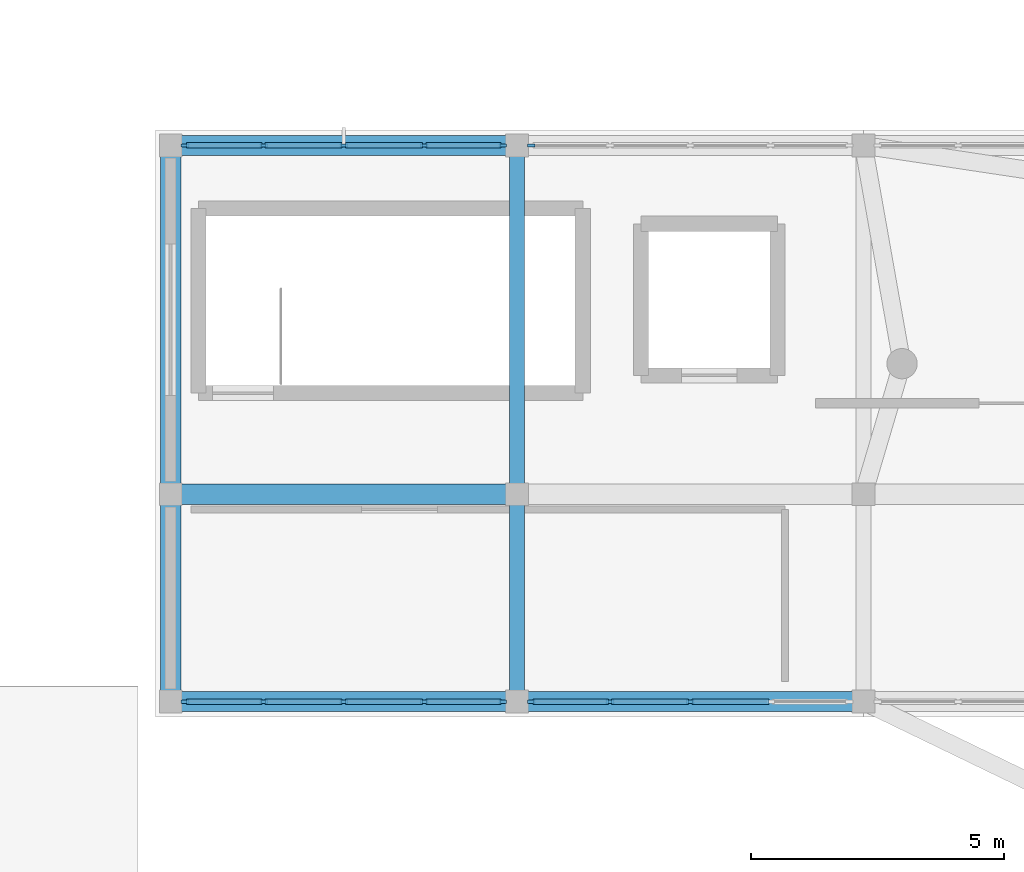
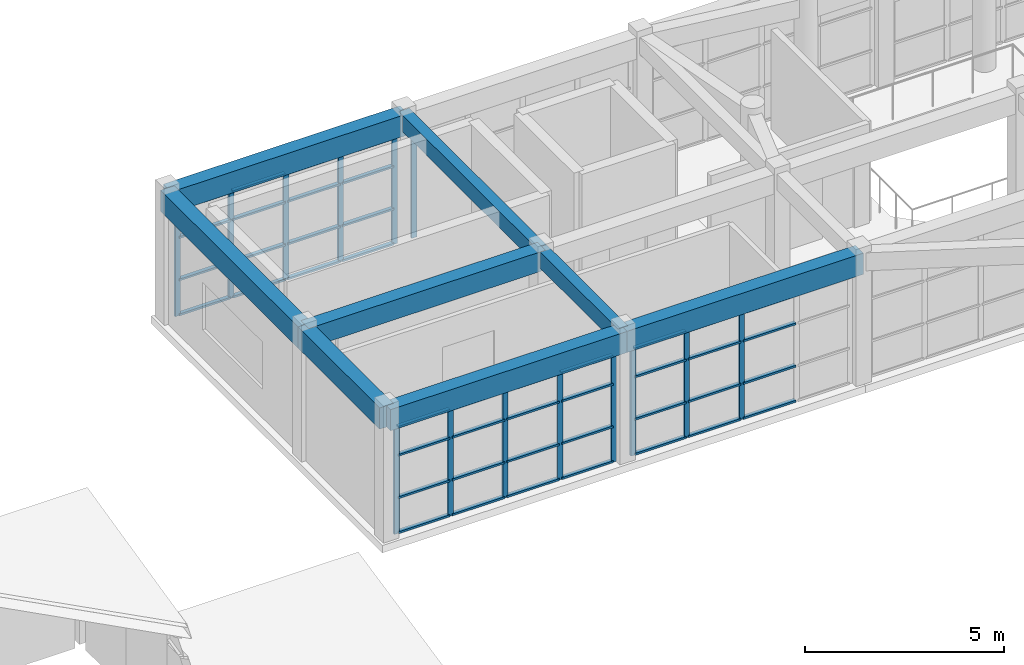
# One storey, part 4 of 66: 58 members, 8 beams, 4 elements without a shape of their own.
"""IFC4 building model written with IfcOpenShell, lengths in metres."""

from ifc_helpers import new_model, si_unit, direction, frame, origin, origin_2d, place, context, subcontext, project, spatial, rectangle, extrude, material, layer, layer_set, material_profile, profile_set, type_object, element, aggregate, save


model = new_model("IFC4")

# Units and contexts
model_context = context("Model", 3, precision=1e-05, world=origin(), true_north=direction((0.0, 1.0)))
body_context = subcontext(model_context, "Body", "Model", "MODEL_VIEW")
ifc_project = project(units=[si_unit("LENGTHUNIT", "METRE"), si_unit("AREAUNIT", "SQUARE_METRE"), si_unit("VOLUMEUNIT", "CUBIC_METRE"), si_unit("PLANEANGLEUNIT", "RADIAN"), si_unit("MASSUNIT", "GRAM", prefix="KILO")], contexts=[model_context])

# Site, building, storey
site_placement = place(None, origin())
site = spatial("IfcSite", under=ifc_project, at=site_placement, CompositionType="ELEMENT")
building_placement = place(site_placement, origin())
building = spatial("IfcBuilding", under=site, at=building_placement, Name="Candilejo Ridge Gondola Terminal", CompositionType="ELEMENT")
storey_placement = place(building_placement, frame((0.0, 0.0, 14.39990234375)))
storey = spatial("IfcBuildingStorey", under=building, at=storey_placement, Name="L03", CompositionType="ELEMENT", Elevation=14.39990234375)

# Curtain wall, members
ifc_material_1 = material(Name="Anodised aluminium AA 6063-T6", Category="aluminium")
ifc_layer = layer(ifc_material_1, 0.169921875)
ifc_layer_set = layer_set([ifc_layer], Name="ARC-CW-DRUM-3400-635X329")
curtain_wall_type = type_object("IfcCurtainWallType", Name="ARC-CW-DRUM-3400-635X329", PredefinedType="NOTDEFINED", material=ifc_layer_set)
curtain_wall_1_placement = place(storey_placement, origin())
curtain_wall_1 = element("IfcCurtainWall", 1, at=curtain_wall_1_placement, inside=storey, type_object=curtain_wall_type, Name="Curtain wall V2 L03-058", PredefinedType="NOTDEFINED")
ifc_material_2 = material(Name="Anodised aluminium AA 6063-T6", Category="aluminium")
ifc_material_profile_1 = material_profile(ifc_material_2, rectangle(XDim=0.06494140625, YDim=0.14990234375, at=origin_2d()))
ifc_profile_set_1 = profile_set([ifc_material_profile_1], Name="Anodised aluminium AA 6063-T6")
member_type_1 = type_object("IfcMemberType", Name="ARC-CW-MULLION-150", PredefinedType="MULLION", material=ifc_profile_set_1)
member_1_placement = place(storey_placement, frame((44.9326171875, 36.699951171875, 0.0), z_axis=(0.0, 0.0, 1.0), x_axis=(0.0, 1.0, 0.0)))
member_1 = element("IfcMember", 2, at=member_1_placement, type_object=member_type_1, Name="CW-63X32 mullion 1", PredefinedType="MULLION", context=body_context, shape_type="SweptSolid", body=[
    extrude(rectangle(XDim=0.06494140625, YDim=0.14990234375, at=origin_2d()), origin(), (0.0, 0.0, 1.0), 3.2900390625),
])
member_2_placement = place(storey_placement, frame((46.487548828125, 36.699951171875, 0.0), z_axis=(0.0, 0.0, 1.0), x_axis=(0.0, 1.0, 0.0)))
member_2 = element("IfcMember", 3, at=member_2_placement, type_object=member_type_1, Name="CW-63X32 mullion 2", PredefinedType="MULLION", context=body_context, shape_type="SweptSolid", body=[
    extrude(rectangle(XDim=0.06494140625, YDim=0.14990234375, at=origin_2d()), origin(), (0.0, 0.0, 1.0), 3.2900390625),
])
member_3_placement = place(storey_placement, frame((48.074951171875, 36.699951171875, 0.0), z_axis=(0.0, 0.0, 1.0), x_axis=(0.0, 1.0, 0.0)))
member_3 = element("IfcMember", 4, at=member_3_placement, type_object=member_type_1, Name="CW-63X32 mullion 3", PredefinedType="MULLION", context=body_context, shape_type="SweptSolid", body=[
    extrude(rectangle(XDim=0.06494140625, YDim=0.14990234375, at=origin_2d()), origin(), (0.0, 0.0, 1.0), 3.2900390625),
])
member_4_placement = place(storey_placement, frame((49.66259765625, 36.699951171875, 0.0), z_axis=(0.0, 0.0, 1.0), x_axis=(0.0, 1.0, 0.0)))
member_4 = element("IfcMember", 5, at=member_4_placement, type_object=member_type_1, Name="CW-63X32 mullion 4", PredefinedType="MULLION", context=body_context, shape_type="SweptSolid", body=[
    extrude(rectangle(XDim=0.06494140625, YDim=0.14990234375, at=origin_2d()), origin(), (0.0, 0.0, 1.0), 3.2900390625),
])
member_5_placement = place(storey_placement, frame((51.217529296875, 36.699951171875, 0.0), z_axis=(0.0, 0.0, 1.0), x_axis=(0.0, 1.0, 0.0)))
member_5 = element("IfcMember", 6, at=member_5_placement, type_object=member_type_1, Name="CW-63X32 mullion 5", PredefinedType="MULLION", context=body_context, shape_type="SweptSolid", body=[
    extrude(rectangle(XDim=0.06494140625, YDim=0.14990234375, at=origin_2d()), origin(), (0.0, 0.0, 1.0), 3.2900390625),
])

curtain_wall_2_placement = place(storey_placement, origin())
curtain_wall_2 = element("IfcCurtainWall", 7, at=curtain_wall_2_placement, inside=storey, type_object=curtain_wall_type, Name="Curtain wall V2 L03-059", PredefinedType="NOTDEFINED")
member_6_placement = place(storey_placement, frame((44.9326171875, 25.699951171875, 0.0), z_axis=(0.0, 0.0, 1.0), x_axis=(0.0, 1.0, 0.0)))
member_6 = element("IfcMember", 8, at=member_6_placement, type_object=member_type_1, Name="CW-63X32 mullion 1", PredefinedType="MULLION", context=body_context, shape_type="SweptSolid", body=[
    extrude(rectangle(XDim=0.06494140625, YDim=0.14990234375, at=origin_2d()), origin(), (0.0, 0.0, 1.0), 3.2900390625),
])
member_7_placement = place(storey_placement, frame((46.487548828125, 25.699951171875, 0.0), z_axis=(0.0, 0.0, 1.0), x_axis=(0.0, 1.0, 0.0)))
member_7 = element("IfcMember", 9, at=member_7_placement, type_object=member_type_1, Name="CW-63X32 mullion 2", PredefinedType="MULLION", context=body_context, shape_type="SweptSolid", body=[
    extrude(rectangle(XDim=0.06494140625, YDim=0.14990234375, at=origin_2d()), origin(), (0.0, 0.0, 1.0), 3.2900390625),
])
member_8_placement = place(storey_placement, frame((48.074951171875, 25.699951171875, 0.0), z_axis=(0.0, 0.0, 1.0), x_axis=(0.0, 1.0, 0.0)))
member_8 = element("IfcMember", 10, at=member_8_placement, type_object=member_type_1, Name="CW-63X32 mullion 3", PredefinedType="MULLION", context=body_context, shape_type="SweptSolid", body=[
    extrude(rectangle(XDim=0.06494140625, YDim=0.14990234375, at=origin_2d()), origin(), (0.0, 0.0, 1.0), 3.2900390625),
])
member_9_placement = place(storey_placement, frame((49.66259765625, 25.699951171875, 0.0), z_axis=(0.0, 0.0, 1.0), x_axis=(0.0, 1.0, 0.0)))
member_9 = element("IfcMember", 11, at=member_9_placement, type_object=member_type_1, Name="CW-63X32 mullion 4", PredefinedType="MULLION", context=body_context, shape_type="SweptSolid", body=[
    extrude(rectangle(XDim=0.06494140625, YDim=0.14990234375, at=origin_2d()), origin(), (0.0, 0.0, 1.0), 3.2900390625),
])
member_10_placement = place(storey_placement, frame((51.217529296875, 25.699951171875, 0.0), z_axis=(0.0, 0.0, 1.0), x_axis=(0.0, 1.0, 0.0)))
member_10 = element("IfcMember", 12, at=member_10_placement, type_object=member_type_1, Name="CW-63X32 mullion 5", PredefinedType="MULLION", context=body_context, shape_type="SweptSolid", body=[
    extrude(rectangle(XDim=0.06494140625, YDim=0.14990234375, at=origin_2d()), origin(), (0.0, 0.0, 1.0), 3.2900390625),
])

# Curtain wall, member
curtain_wall_3_placement = place(storey_placement, origin())
curtain_wall_3 = element("IfcCurtainWall", 13, at=curtain_wall_3_placement, inside=storey, type_object=curtain_wall_type, Name="Curtain wall V2 L03-060", PredefinedType="NOTDEFINED")
member_11_placement = place(storey_placement, frame((51.782470703125, 36.699951171875, 0.0), z_axis=(0.0, 0.0, 1.0), x_axis=(0.0, 1.0, 0.0)))
member_11 = element("IfcMember", 14, at=member_11_placement, type_object=member_type_1, Name="CW-63X32 mullion 1", PredefinedType="MULLION", context=body_context, shape_type="SweptSolid", body=[
    extrude(rectangle(XDim=0.06494140625, YDim=0.14990234375, at=origin_2d()), origin(), (0.0, 0.0, 1.0), 3.2900390625),
])
aggregate(curtain_wall_3, [member_11])

# Curtain wall, members
curtain_wall_4_placement = place(storey_placement, origin())
curtain_wall_4 = element("IfcCurtainWall", 15, at=curtain_wall_4_placement, inside=storey, type_object=curtain_wall_type, Name="Curtain wall V2 L03-061", PredefinedType="NOTDEFINED")
member_12_placement = place(storey_placement, frame((51.782470703125, 25.699951171875, 0.0), z_axis=(0.0, 0.0, 1.0), x_axis=(0.0, 1.0, 0.0)))
member_12 = element("IfcMember", 16, at=member_12_placement, type_object=member_type_1, Name="CW-63X32 mullion 1", PredefinedType="MULLION", context=body_context, shape_type="SweptSolid", body=[
    extrude(rectangle(XDim=0.06494140625, YDim=0.14990234375, at=origin_2d()), origin(), (0.0, 0.0, 1.0), 3.2900390625),
])
member_13_placement = place(storey_placement, frame((53.33740234375, 25.699951171875, 0.0), z_axis=(0.0, 0.0, 1.0), x_axis=(0.0, 1.0, 0.0)))
member_13 = element("IfcMember", 17, at=member_13_placement, type_object=member_type_1, Name="CW-63X32 mullion 2", PredefinedType="MULLION", context=body_context, shape_type="SweptSolid", body=[
    extrude(rectangle(XDim=0.06494140625, YDim=0.14990234375, at=origin_2d()), origin(), (0.0, 0.0, 1.0), 3.2900390625),
])
member_14_placement = place(storey_placement, frame((54.925048828125, 25.699951171875, 0.0), z_axis=(0.0, 0.0, 1.0), x_axis=(0.0, 1.0, 0.0)))
member_14 = element("IfcMember", 18, at=member_14_placement, type_object=member_type_1, Name="CW-63X32 mullion 3", PredefinedType="MULLION", context=body_context, shape_type="SweptSolid", body=[
    extrude(rectangle(XDim=0.06494140625, YDim=0.14990234375, at=origin_2d()), origin(), (0.0, 0.0, 1.0), 3.2900390625),
])

# Member
ifc_material_3 = material(Name="Anodised aluminium AA 6063-T6", Category="aluminium")
ifc_material_profile_2 = material_profile(ifc_material_3, rectangle(XDim=0.110107421875, YDim=0.06005859375, at=origin_2d()))
ifc_profile_set_2 = profile_set([ifc_material_profile_2], Name="Anodised aluminium AA 6063-T6")
member_type_2 = type_object("IfcMemberType", Name="ARC-CW-TRANSOM-110", PredefinedType="USERDEFINED", material=ifc_profile_set_2)
member_15_placement = place(storey_placement, frame((44.965087890625, 36.699951171875, 0.030029296875), z_axis=(1.0, 0.0, 0.0), x_axis=(0.0, 1.0, 0.0)))
member_15 = element("IfcMember", 19, at=member_15_placement, type_object=member_type_2, Name="CW-63X32 transom 1.1", ObjectType="TRANSOM", PredefinedType="USERDEFINED", context=body_context, shape_type="SweptSolid", body=[
    extrude(rectangle(XDim=0.110107421875, YDim=0.06005859375, at=origin_2d()), origin(), (0.0, 0.0, 1.0), 1.489990234375),
])

member_16_placement = place(storey_placement, frame((44.965087890625, 36.699951171875, 1.10009765625), z_axis=(1.0, 0.0, 0.0), x_axis=(0.0, 1.0, 0.0)))
member_16 = element("IfcMember", 20, at=member_16_placement, type_object=member_type_2, Name="CW-63X32 transom 1.2", ObjectType="TRANSOM", PredefinedType="USERDEFINED", context=body_context, shape_type="SweptSolid", body=[
    extrude(rectangle(XDim=0.110107421875, YDim=0.06005859375, at=origin_2d()), origin(), (0.0, 0.0, 1.0), 1.489990234375),
])

member_17_placement = place(storey_placement, frame((44.965087890625, 36.699951171875, 2.400146484375), z_axis=(1.0, 0.0, 0.0), x_axis=(0.0, 1.0, 0.0)))
member_17 = element("IfcMember", 21, at=member_17_placement, type_object=member_type_2, Name="CW-63X32 transom 1.3", ObjectType="TRANSOM", PredefinedType="USERDEFINED", context=body_context, shape_type="SweptSolid", body=[
    extrude(rectangle(XDim=0.110107421875, YDim=0.06005859375, at=origin_2d()), origin(), (0.0, 0.0, 1.0), 1.489990234375),
])

member_18_placement = place(storey_placement, frame((44.965087890625, 36.699951171875, 3.260009765625), z_axis=(1.0, 0.0, 0.0), x_axis=(0.0, 1.0, 0.0)))
member_18 = element("IfcMember", 22, at=member_18_placement, type_object=member_type_2, Name="CW-63X32 transom 1.4", ObjectType="TRANSOM", PredefinedType="USERDEFINED", context=body_context, shape_type="SweptSolid", body=[
    extrude(rectangle(XDim=0.110107421875, YDim=0.06005859375, at=origin_2d()), origin(), (0.0, 0.0, 1.0), 1.489990234375),
])

member_19_placement = place(storey_placement, frame((46.52001953125, 36.699951171875, 0.030029296875), z_axis=(1.0, 0.0, 0.0), x_axis=(0.0, 1.0, 0.0)))
member_19 = element("IfcMember", 23, at=member_19_placement, type_object=member_type_2, Name="CW-63X32 transom 2.1", ObjectType="TRANSOM", PredefinedType="USERDEFINED", context=body_context, shape_type="SweptSolid", body=[
    extrude(rectangle(XDim=0.110107421875, YDim=0.06005859375, at=origin_2d()), origin(), (0.0, 0.0, 1.0), 1.5224609375),
])

member_20_placement = place(storey_placement, frame((46.52001953125, 36.699951171875, 1.10009765625), z_axis=(1.0, 0.0, 0.0), x_axis=(0.0, 1.0, 0.0)))
member_20 = element("IfcMember", 24, at=member_20_placement, type_object=member_type_2, Name="CW-63X32 transom 2.2", ObjectType="TRANSOM", PredefinedType="USERDEFINED", context=body_context, shape_type="SweptSolid", body=[
    extrude(rectangle(XDim=0.110107421875, YDim=0.06005859375, at=origin_2d()), origin(), (0.0, 0.0, 1.0), 1.5224609375),
])

member_21_placement = place(storey_placement, frame((46.52001953125, 36.699951171875, 2.400146484375), z_axis=(1.0, 0.0, 0.0), x_axis=(0.0, 1.0, 0.0)))
member_21 = element("IfcMember", 25, at=member_21_placement, type_object=member_type_2, Name="CW-63X32 transom 2.3", ObjectType="TRANSOM", PredefinedType="USERDEFINED", context=body_context, shape_type="SweptSolid", body=[
    extrude(rectangle(XDim=0.110107421875, YDim=0.06005859375, at=origin_2d()), origin(), (0.0, 0.0, 1.0), 1.5224609375),
])

member_22_placement = place(storey_placement, frame((46.52001953125, 36.699951171875, 3.260009765625), z_axis=(1.0, 0.0, 0.0), x_axis=(0.0, 1.0, 0.0)))
member_22 = element("IfcMember", 26, at=member_22_placement, type_object=member_type_2, Name="CW-63X32 transom 2.4", ObjectType="TRANSOM", PredefinedType="USERDEFINED", context=body_context, shape_type="SweptSolid", body=[
    extrude(rectangle(XDim=0.110107421875, YDim=0.06005859375, at=origin_2d()), origin(), (0.0, 0.0, 1.0), 1.5224609375),
])

member_23_placement = place(storey_placement, frame((48.107421875, 36.699951171875, 0.030029296875), z_axis=(1.0, 0.0, 0.0), x_axis=(0.0, 1.0, 0.0)))
member_23 = element("IfcMember", 27, at=member_23_placement, type_object=member_type_2, Name="CW-63X32 transom 3.1", ObjectType="TRANSOM", PredefinedType="USERDEFINED", context=body_context, shape_type="SweptSolid", body=[
    extrude(rectangle(XDim=0.110107421875, YDim=0.06005859375, at=origin_2d()), origin(), (0.0, 0.0, 1.0), 1.5224609375),
])

member_24_placement = place(storey_placement, frame((48.107421875, 36.699951171875, 1.10009765625), z_axis=(1.0, 0.0, 0.0), x_axis=(0.0, 1.0, 0.0)))
member_24 = element("IfcMember", 28, at=member_24_placement, type_object=member_type_2, Name="CW-63X32 transom 3.2", ObjectType="TRANSOM", PredefinedType="USERDEFINED", context=body_context, shape_type="SweptSolid", body=[
    extrude(rectangle(XDim=0.110107421875, YDim=0.06005859375, at=origin_2d()), origin(), (0.0, 0.0, 1.0), 1.5224609375),
])

member_25_placement = place(storey_placement, frame((48.107421875, 36.699951171875, 2.400146484375), z_axis=(1.0, 0.0, 0.0), x_axis=(0.0, 1.0, 0.0)))
member_25 = element("IfcMember", 29, at=member_25_placement, type_object=member_type_2, Name="CW-63X32 transom 3.3", ObjectType="TRANSOM", PredefinedType="USERDEFINED", context=body_context, shape_type="SweptSolid", body=[
    extrude(rectangle(XDim=0.110107421875, YDim=0.06005859375, at=origin_2d()), origin(), (0.0, 0.0, 1.0), 1.5224609375),
])

member_26_placement = place(storey_placement, frame((48.107421875, 36.699951171875, 3.260009765625), z_axis=(1.0, 0.0, 0.0), x_axis=(0.0, 1.0, 0.0)))
member_26 = element("IfcMember", 30, at=member_26_placement, type_object=member_type_2, Name="CW-63X32 transom 3.4", ObjectType="TRANSOM", PredefinedType="USERDEFINED", context=body_context, shape_type="SweptSolid", body=[
    extrude(rectangle(XDim=0.110107421875, YDim=0.06005859375, at=origin_2d()), origin(), (0.0, 0.0, 1.0), 1.5224609375),
])

member_27_placement = place(storey_placement, frame((49.695068359375, 36.699951171875, 0.030029296875), z_axis=(1.0, 0.0, 0.0), x_axis=(0.0, 1.0, 0.0)))
member_27 = element("IfcMember", 31, at=member_27_placement, type_object=member_type_2, Name="CW-63X32 transom 4.1", ObjectType="TRANSOM", PredefinedType="USERDEFINED", context=body_context, shape_type="SweptSolid", body=[
    extrude(rectangle(XDim=0.110107421875, YDim=0.06005859375, at=origin_2d()), origin(), (0.0, 0.0, 1.0), 1.489990234375),
])

member_28_placement = place(storey_placement, frame((49.695068359375, 36.699951171875, 1.10009765625), z_axis=(1.0, 0.0, 0.0), x_axis=(0.0, 1.0, 0.0)))
member_28 = element("IfcMember", 32, at=member_28_placement, type_object=member_type_2, Name="CW-63X32 transom 4.2", ObjectType="TRANSOM", PredefinedType="USERDEFINED", context=body_context, shape_type="SweptSolid", body=[
    extrude(rectangle(XDim=0.110107421875, YDim=0.06005859375, at=origin_2d()), origin(), (0.0, 0.0, 1.0), 1.489990234375),
])

member_29_placement = place(storey_placement, frame((49.695068359375, 36.699951171875, 2.400146484375), z_axis=(1.0, 0.0, 0.0), x_axis=(0.0, 1.0, 0.0)))
member_29 = element("IfcMember", 33, at=member_29_placement, type_object=member_type_2, Name="CW-63X32 transom 4.3", ObjectType="TRANSOM", PredefinedType="USERDEFINED", context=body_context, shape_type="SweptSolid", body=[
    extrude(rectangle(XDim=0.110107421875, YDim=0.06005859375, at=origin_2d()), origin(), (0.0, 0.0, 1.0), 1.489990234375),
])

member_30_placement = place(storey_placement, frame((49.695068359375, 36.699951171875, 3.260009765625), z_axis=(1.0, 0.0, 0.0), x_axis=(0.0, 1.0, 0.0)))
member_30 = element("IfcMember", 34, at=member_30_placement, type_object=member_type_2, Name="CW-63X32 transom 4.4", ObjectType="TRANSOM", PredefinedType="USERDEFINED", context=body_context, shape_type="SweptSolid", body=[
    extrude(rectangle(XDim=0.110107421875, YDim=0.06005859375, at=origin_2d()), origin(), (0.0, 0.0, 1.0), 1.489990234375),
])

aggregate(curtain_wall_1, [member_1, member_2, member_3, member_4, member_5, member_15, member_16, member_17, member_18, member_19, member_20, member_21, member_22, member_23, member_24, member_25, member_26, member_27, member_28, member_29, member_30])

member_31_placement = place(storey_placement, frame((44.965087890625, 25.699951171875, 0.030029296875), z_axis=(1.0, 0.0, 0.0), x_axis=(0.0, 1.0, 0.0)))
member_31 = element("IfcMember", 35, at=member_31_placement, type_object=member_type_2, Name="CW-63X32 transom 1.1", ObjectType="TRANSOM", PredefinedType="USERDEFINED", context=body_context, shape_type="SweptSolid", body=[
    extrude(rectangle(XDim=0.110107421875, YDim=0.06005859375, at=origin_2d()), origin(), (0.0, 0.0, 1.0), 1.489990234375),
])

member_32_placement = place(storey_placement, frame((44.965087890625, 25.699951171875, 1.10009765625), z_axis=(1.0, 0.0, 0.0), x_axis=(0.0, 1.0, 0.0)))
member_32 = element("IfcMember", 36, at=member_32_placement, type_object=member_type_2, Name="CW-63X32 transom 1.2", ObjectType="TRANSOM", PredefinedType="USERDEFINED", context=body_context, shape_type="SweptSolid", body=[
    extrude(rectangle(XDim=0.110107421875, YDim=0.06005859375, at=origin_2d()), origin(), (0.0, 0.0, 1.0), 1.489990234375),
])

member_33_placement = place(storey_placement, frame((44.965087890625, 25.699951171875, 2.400146484375), z_axis=(1.0, 0.0, 0.0), x_axis=(0.0, 1.0, 0.0)))
member_33 = element("IfcMember", 37, at=member_33_placement, type_object=member_type_2, Name="CW-63X32 transom 1.3", ObjectType="TRANSOM", PredefinedType="USERDEFINED", context=body_context, shape_type="SweptSolid", body=[
    extrude(rectangle(XDim=0.110107421875, YDim=0.06005859375, at=origin_2d()), origin(), (0.0, 0.0, 1.0), 1.489990234375),
])

member_34_placement = place(storey_placement, frame((44.965087890625, 25.699951171875, 3.260009765625), z_axis=(1.0, 0.0, 0.0), x_axis=(0.0, 1.0, 0.0)))
member_34 = element("IfcMember", 38, at=member_34_placement, type_object=member_type_2, Name="CW-63X32 transom 1.4", ObjectType="TRANSOM", PredefinedType="USERDEFINED", context=body_context, shape_type="SweptSolid", body=[
    extrude(rectangle(XDim=0.110107421875, YDim=0.06005859375, at=origin_2d()), origin(), (0.0, 0.0, 1.0), 1.489990234375),
])

member_35_placement = place(storey_placement, frame((46.52001953125, 25.699951171875, 0.030029296875), z_axis=(1.0, 0.0, 0.0), x_axis=(0.0, 1.0, 0.0)))
member_35 = element("IfcMember", 39, at=member_35_placement, type_object=member_type_2, Name="CW-63X32 transom 2.1", ObjectType="TRANSOM", PredefinedType="USERDEFINED", context=body_context, shape_type="SweptSolid", body=[
    extrude(rectangle(XDim=0.110107421875, YDim=0.06005859375, at=origin_2d()), origin(), (0.0, 0.0, 1.0), 1.5224609375),
])

member_36_placement = place(storey_placement, frame((46.52001953125, 25.699951171875, 1.10009765625), z_axis=(1.0, 0.0, 0.0), x_axis=(0.0, 1.0, 0.0)))
member_36 = element("IfcMember", 40, at=member_36_placement, type_object=member_type_2, Name="CW-63X32 transom 2.2", ObjectType="TRANSOM", PredefinedType="USERDEFINED", context=body_context, shape_type="SweptSolid", body=[
    extrude(rectangle(XDim=0.110107421875, YDim=0.06005859375, at=origin_2d()), origin(), (0.0, 0.0, 1.0), 1.5224609375),
])

member_37_placement = place(storey_placement, frame((46.52001953125, 25.699951171875, 2.400146484375), z_axis=(1.0, 0.0, 0.0), x_axis=(0.0, 1.0, 0.0)))
member_37 = element("IfcMember", 41, at=member_37_placement, type_object=member_type_2, Name="CW-63X32 transom 2.3", ObjectType="TRANSOM", PredefinedType="USERDEFINED", context=body_context, shape_type="SweptSolid", body=[
    extrude(rectangle(XDim=0.110107421875, YDim=0.06005859375, at=origin_2d()), origin(), (0.0, 0.0, 1.0), 1.5224609375),
])

member_38_placement = place(storey_placement, frame((46.52001953125, 25.699951171875, 3.260009765625), z_axis=(1.0, 0.0, 0.0), x_axis=(0.0, 1.0, 0.0)))
member_38 = element("IfcMember", 42, at=member_38_placement, type_object=member_type_2, Name="CW-63X32 transom 2.4", ObjectType="TRANSOM", PredefinedType="USERDEFINED", context=body_context, shape_type="SweptSolid", body=[
    extrude(rectangle(XDim=0.110107421875, YDim=0.06005859375, at=origin_2d()), origin(), (0.0, 0.0, 1.0), 1.5224609375),
])

member_39_placement = place(storey_placement, frame((48.107421875, 25.699951171875, 0.030029296875), z_axis=(1.0, 0.0, 0.0), x_axis=(0.0, 1.0, 0.0)))
member_39 = element("IfcMember", 43, at=member_39_placement, type_object=member_type_2, Name="CW-63X32 transom 3.1", ObjectType="TRANSOM", PredefinedType="USERDEFINED", context=body_context, shape_type="SweptSolid", body=[
    extrude(rectangle(XDim=0.110107421875, YDim=0.06005859375, at=origin_2d()), origin(), (0.0, 0.0, 1.0), 1.5224609375),
])

member_40_placement = place(storey_placement, frame((48.107421875, 25.699951171875, 1.10009765625), z_axis=(1.0, 0.0, 0.0), x_axis=(0.0, 1.0, 0.0)))
member_40 = element("IfcMember", 44, at=member_40_placement, type_object=member_type_2, Name="CW-63X32 transom 3.2", ObjectType="TRANSOM", PredefinedType="USERDEFINED", context=body_context, shape_type="SweptSolid", body=[
    extrude(rectangle(XDim=0.110107421875, YDim=0.06005859375, at=origin_2d()), origin(), (0.0, 0.0, 1.0), 1.5224609375),
])

member_41_placement = place(storey_placement, frame((48.107421875, 25.699951171875, 2.400146484375), z_axis=(1.0, 0.0, 0.0), x_axis=(0.0, 1.0, 0.0)))
member_41 = element("IfcMember", 45, at=member_41_placement, type_object=member_type_2, Name="CW-63X32 transom 3.3", ObjectType="TRANSOM", PredefinedType="USERDEFINED", context=body_context, shape_type="SweptSolid", body=[
    extrude(rectangle(XDim=0.110107421875, YDim=0.06005859375, at=origin_2d()), origin(), (0.0, 0.0, 1.0), 1.5224609375),
])

member_42_placement = place(storey_placement, frame((48.107421875, 25.699951171875, 3.260009765625), z_axis=(1.0, 0.0, 0.0), x_axis=(0.0, 1.0, 0.0)))
member_42 = element("IfcMember", 46, at=member_42_placement, type_object=member_type_2, Name="CW-63X32 transom 3.4", ObjectType="TRANSOM", PredefinedType="USERDEFINED", context=body_context, shape_type="SweptSolid", body=[
    extrude(rectangle(XDim=0.110107421875, YDim=0.06005859375, at=origin_2d()), origin(), (0.0, 0.0, 1.0), 1.5224609375),
])

member_43_placement = place(storey_placement, frame((49.695068359375, 25.699951171875, 0.030029296875), z_axis=(1.0, 0.0, 0.0), x_axis=(0.0, 1.0, 0.0)))
member_43 = element("IfcMember", 47, at=member_43_placement, type_object=member_type_2, Name="CW-63X32 transom 4.1", ObjectType="TRANSOM", PredefinedType="USERDEFINED", context=body_context, shape_type="SweptSolid", body=[
    extrude(rectangle(XDim=0.110107421875, YDim=0.06005859375, at=origin_2d()), origin(), (0.0, 0.0, 1.0), 1.489990234375),
])

member_44_placement = place(storey_placement, frame((49.695068359375, 25.699951171875, 1.10009765625), z_axis=(1.0, 0.0, 0.0), x_axis=(0.0, 1.0, 0.0)))
member_44 = element("IfcMember", 48, at=member_44_placement, type_object=member_type_2, Name="CW-63X32 transom 4.2", ObjectType="TRANSOM", PredefinedType="USERDEFINED", context=body_context, shape_type="SweptSolid", body=[
    extrude(rectangle(XDim=0.110107421875, YDim=0.06005859375, at=origin_2d()), origin(), (0.0, 0.0, 1.0), 1.489990234375),
])

member_45_placement = place(storey_placement, frame((49.695068359375, 25.699951171875, 2.400146484375), z_axis=(1.0, 0.0, 0.0), x_axis=(0.0, 1.0, 0.0)))
member_45 = element("IfcMember", 49, at=member_45_placement, type_object=member_type_2, Name="CW-63X32 transom 4.3", ObjectType="TRANSOM", PredefinedType="USERDEFINED", context=body_context, shape_type="SweptSolid", body=[
    extrude(rectangle(XDim=0.110107421875, YDim=0.06005859375, at=origin_2d()), origin(), (0.0, 0.0, 1.0), 1.489990234375),
])

member_46_placement = place(storey_placement, frame((49.695068359375, 25.699951171875, 3.260009765625), z_axis=(1.0, 0.0, 0.0), x_axis=(0.0, 1.0, 0.0)))
member_46 = element("IfcMember", 50, at=member_46_placement, type_object=member_type_2, Name="CW-63X32 transom 4.4", ObjectType="TRANSOM", PredefinedType="USERDEFINED", context=body_context, shape_type="SweptSolid", body=[
    extrude(rectangle(XDim=0.110107421875, YDim=0.06005859375, at=origin_2d()), origin(), (0.0, 0.0, 1.0), 1.489990234375),
])

aggregate(curtain_wall_2, [member_6, member_7, member_8, member_9, member_10, member_31, member_32, member_33, member_34, member_35, member_36, member_37, member_38, member_39, member_40, member_41, member_42, member_43, member_44, member_45, member_46])

member_47_placement = place(storey_placement, frame((51.81494140625, 25.699951171875, 0.030029296875), z_axis=(1.0, 0.0, 0.0), x_axis=(0.0, 1.0, 0.0)))
member_47 = element("IfcMember", 51, at=member_47_placement, type_object=member_type_2, Name="CW-63X32 transom 1.1", ObjectType="TRANSOM", PredefinedType="USERDEFINED", context=body_context, shape_type="SweptSolid", body=[
    extrude(rectangle(XDim=0.110107421875, YDim=0.06005859375, at=origin_2d()), origin(), (0.0, 0.0, 1.0), 1.489990234375),
])

member_48_placement = place(storey_placement, frame((51.81494140625, 25.699951171875, 1.10009765625), z_axis=(1.0, 0.0, 0.0), x_axis=(0.0, 1.0, 0.0)))
member_48 = element("IfcMember", 52, at=member_48_placement, type_object=member_type_2, Name="CW-63X32 transom 1.2", ObjectType="TRANSOM", PredefinedType="USERDEFINED", context=body_context, shape_type="SweptSolid", body=[
    extrude(rectangle(XDim=0.110107421875, YDim=0.06005859375, at=origin_2d()), origin(), (0.0, 0.0, 1.0), 1.489990234375),
])

member_49_placement = place(storey_placement, frame((51.81494140625, 25.699951171875, 2.400146484375), z_axis=(1.0, 0.0, 0.0), x_axis=(0.0, 1.0, 0.0)))
member_49 = element("IfcMember", 53, at=member_49_placement, type_object=member_type_2, Name="CW-63X32 transom 1.3", ObjectType="TRANSOM", PredefinedType="USERDEFINED", context=body_context, shape_type="SweptSolid", body=[
    extrude(rectangle(XDim=0.110107421875, YDim=0.06005859375, at=origin_2d()), origin(), (0.0, 0.0, 1.0), 1.489990234375),
])

member_50_placement = place(storey_placement, frame((51.81494140625, 25.699951171875, 3.260009765625), z_axis=(1.0, 0.0, 0.0), x_axis=(0.0, 1.0, 0.0)))
member_50 = element("IfcMember", 54, at=member_50_placement, type_object=member_type_2, Name="CW-63X32 transom 1.4", ObjectType="TRANSOM", PredefinedType="USERDEFINED", context=body_context, shape_type="SweptSolid", body=[
    extrude(rectangle(XDim=0.110107421875, YDim=0.06005859375, at=origin_2d()), origin(), (0.0, 0.0, 1.0), 1.489990234375),
])

member_51_placement = place(storey_placement, frame((53.3701171875, 25.699951171875, 0.030029296875), z_axis=(1.0, 0.0, 0.0), x_axis=(0.0, 1.0, 0.0)))
member_51 = element("IfcMember", 55, at=member_51_placement, type_object=member_type_2, Name="CW-63X32 transom 2.1", ObjectType="TRANSOM", PredefinedType="USERDEFINED", context=body_context, shape_type="SweptSolid", body=[
    extrude(rectangle(XDim=0.110107421875, YDim=0.06005859375, at=origin_2d()), origin(), (0.0, 0.0, 1.0), 1.5224609375),
])

member_52_placement = place(storey_placement, frame((53.3701171875, 25.699951171875, 1.10009765625), z_axis=(1.0, 0.0, 0.0), x_axis=(0.0, 1.0, 0.0)))
member_52 = element("IfcMember", 56, at=member_52_placement, type_object=member_type_2, Name="CW-63X32 transom 2.2", ObjectType="TRANSOM", PredefinedType="USERDEFINED", context=body_context, shape_type="SweptSolid", body=[
    extrude(rectangle(XDim=0.110107421875, YDim=0.06005859375, at=origin_2d()), origin(), (0.0, 0.0, 1.0), 1.5224609375),
])

member_53_placement = place(storey_placement, frame((53.3701171875, 25.699951171875, 2.400146484375), z_axis=(1.0, 0.0, 0.0), x_axis=(0.0, 1.0, 0.0)))
member_53 = element("IfcMember", 57, at=member_53_placement, type_object=member_type_2, Name="CW-63X32 transom 2.3", ObjectType="TRANSOM", PredefinedType="USERDEFINED", context=body_context, shape_type="SweptSolid", body=[
    extrude(rectangle(XDim=0.110107421875, YDim=0.06005859375, at=origin_2d()), origin(), (0.0, 0.0, 1.0), 1.5224609375),
])

member_54_placement = place(storey_placement, frame((53.3701171875, 25.699951171875, 3.260009765625), z_axis=(1.0, 0.0, 0.0), x_axis=(0.0, 1.0, 0.0)))
member_54 = element("IfcMember", 58, at=member_54_placement, type_object=member_type_2, Name="CW-63X32 transom 2.4", ObjectType="TRANSOM", PredefinedType="USERDEFINED", context=body_context, shape_type="SweptSolid", body=[
    extrude(rectangle(XDim=0.110107421875, YDim=0.06005859375, at=origin_2d()), origin(), (0.0, 0.0, 1.0), 1.5224609375),
])

member_55_placement = place(storey_placement, frame((54.95751953125, 25.699951171875, 0.030029296875), z_axis=(1.0, 0.0, 0.0), x_axis=(0.0, 1.0, 0.0)))
member_55 = element("IfcMember", 59, at=member_55_placement, type_object=member_type_2, Name="CW-63X32 transom 3.1", ObjectType="TRANSOM", PredefinedType="USERDEFINED", context=body_context, shape_type="SweptSolid", body=[
    extrude(rectangle(XDim=0.110107421875, YDim=0.06005859375, at=origin_2d()), origin(), (0.0, 0.0, 1.0), 1.5224609375),
])

member_56_placement = place(storey_placement, frame((54.95751953125, 25.699951171875, 1.10009765625), z_axis=(1.0, 0.0, 0.0), x_axis=(0.0, 1.0, 0.0)))
member_56 = element("IfcMember", 60, at=member_56_placement, type_object=member_type_2, Name="CW-63X32 transom 3.2", ObjectType="TRANSOM", PredefinedType="USERDEFINED", context=body_context, shape_type="SweptSolid", body=[
    extrude(rectangle(XDim=0.110107421875, YDim=0.06005859375, at=origin_2d()), origin(), (0.0, 0.0, 1.0), 1.5224609375),
])

member_57_placement = place(storey_placement, frame((54.95751953125, 25.699951171875, 2.400146484375), z_axis=(1.0, 0.0, 0.0), x_axis=(0.0, 1.0, 0.0)))
member_57 = element("IfcMember", 61, at=member_57_placement, type_object=member_type_2, Name="CW-63X32 transom 3.3", ObjectType="TRANSOM", PredefinedType="USERDEFINED", context=body_context, shape_type="SweptSolid", body=[
    extrude(rectangle(XDim=0.110107421875, YDim=0.06005859375, at=origin_2d()), origin(), (0.0, 0.0, 1.0), 1.5224609375),
])

member_58_placement = place(storey_placement, frame((54.95751953125, 25.699951171875, 3.260009765625), z_axis=(1.0, 0.0, 0.0), x_axis=(0.0, 1.0, 0.0)))
member_58 = element("IfcMember", 62, at=member_58_placement, type_object=member_type_2, Name="CW-63X32 transom 3.4", ObjectType="TRANSOM", PredefinedType="USERDEFINED", context=body_context, shape_type="SweptSolid", body=[
    extrude(rectangle(XDim=0.110107421875, YDim=0.06005859375, at=origin_2d()), origin(), (0.0, 0.0, 1.0), 1.5224609375),
])

aggregate(curtain_wall_4, [member_12, member_13, member_14, member_47, member_48, member_49, member_50, member_51, member_52, member_53, member_54, member_55, member_56, member_57, member_58])

# Beams
ifc_material_4 = material(Name="Concrete f'c 35 MPa (C35/45)", Category="concrete")
ifc_material_profile_3 = material_profile(ifc_material_4, rectangle(XDim=0.300048828125, YDim=0.5, at=origin_2d()))
ifc_profile_set_3 = profile_set([ifc_material_profile_3], Name="Concrete f'c 35 MPa (C35/45)")
beam_type_1 = type_object("IfcBeamType", Name="STR-BM-RC300X500", PredefinedType="BEAM", material=ifc_profile_set_3)
beam_1_placement = place(storey_placement, frame((51.5, 25.699951171875, 3.75), z_axis=(0.0, 1.0, 0.0), x_axis=(-1.0, 0.0, 0.0)))
element("IfcBeam", 63, at=beam_1_placement, inside=storey, type_object=beam_type_1, Name="Beam Y V2 L03 Y05-Y06@X08", PredefinedType="BEAM", context=body_context, shape_type="SweptSolid", body=[
    extrude(rectangle(XDim=0.300048828125, YDim=0.5, at=origin_2d()), origin(), (0.0, 0.0, 1.0), 4.10009765625),
])
beam_2_placement = place(storey_placement, frame((51.5, 29.800048828125, 3.75), z_axis=(0.0, 1.0, 0.0), x_axis=(-1.0, 0.0, 0.0)))
element("IfcBeam", 64, at=beam_2_placement, inside=storey, type_object=beam_type_1, Name="Beam Y V2 L03 Y06-Y07@X08", PredefinedType="BEAM", context=body_context, shape_type="SweptSolid", body=[
    extrude(rectangle(XDim=0.300048828125, YDim=0.5, at=origin_2d()), origin(), (0.0, 0.0, 1.0), 6.89990234375),
])
ifc_material_5 = material(Name="Concrete f'c 35 MPa (C35/45)", Category="concrete")
ifc_material_profile_4 = material_profile(ifc_material_5, rectangle(XDim=0.39990234375, YDim=0.60009765625, at=origin_2d()))
ifc_profile_set_4 = profile_set([ifc_material_profile_4], Name="Concrete f'c 35 MPa (C35/45)")
beam_type_2 = type_object("IfcBeamType", Name="STR-BM-RC400X600", PredefinedType="BEAM", material=ifc_profile_set_4)
beam_3_placement = place(storey_placement, frame((44.64990234375, 29.800048828125, 3.7001953125), z_axis=(1.0, 0.0, 0.0), x_axis=(0.0, 1.0, 0.0)))
element("IfcBeam", 65, at=beam_3_placement, inside=storey, type_object=beam_type_2, Name="Beam X V2 L03 X07-X08@Y06", PredefinedType="BEAM", context=body_context, shape_type="SweptSolid", body=[
    extrude(rectangle(XDim=0.39990234375, YDim=0.60009765625, at=origin_2d()), origin(), (0.0, 0.0, 1.0), 6.85009765625),
])
ifc_material_6 = material(Name="Concrete f'c 35 MPa (C35/45)", Category="concrete")
ifc_material_profile_5 = material_profile(ifc_material_6, rectangle(XDim=0.39990234375, YDim=0.64990234375, at=origin_2d()))
ifc_profile_set_5 = profile_set([ifc_material_profile_5], Name="Concrete f'c 35 MPa (C35/45)")
beam_type_3 = type_object("IfcBeamType", Name="STR-SPN-RC400X650", PredefinedType="SPANDREL", material=ifc_profile_set_5)
for number, where, z_axis, x_axis, name in (
    (66, (44.64990234375, 25.699951171875, 3.675048828125), (1.0, 0.0, 0.0), (0.0, 1.0, 0.0), "Beam X V2 L03 X07-X08@Y05"),
    (67, (51.5, 25.699951171875, 3.675048828125), (1.0, 0.0, 0.0), (0.0, 1.0, 0.0), "Beam X V2 L03 X08-X09@Y05"),
    (68, (44.64990234375, 36.699951171875, 3.675048828125), (1.0, 0.0, 0.0), (0.0, 1.0, 0.0), "Beam X V2 L03 X07-X08@Y07"),
):
    element("IfcBeam", number, at=place(storey_placement, frame(where, z_axis=z_axis, x_axis=x_axis)), inside=storey, type_object=beam_type_3, Name=name, PredefinedType="SPANDREL", context=body_context, shape_type="SweptSolid", body=[
        extrude(rectangle(XDim=0.39990234375, YDim=0.64990234375, at=origin_2d()), origin(), (0.0, 0.0, 1.0), 6.85009765625),
    ])
beam_4_placement = place(storey_placement, frame((44.64990234375, 25.699951171875, 3.675048828125), z_axis=(0.0, 1.0, 0.0), x_axis=(-1.0, 0.0, 0.0)))
element("IfcBeam", 69, at=beam_4_placement, inside=storey, type_object=beam_type_3, Name="Beam Y V2 L03 Y05-Y06@X07", PredefinedType="SPANDREL", context=body_context, shape_type="SweptSolid", body=[
    extrude(rectangle(XDim=0.39990234375, YDim=0.64990234375, at=origin_2d()), origin(), (0.0, 0.0, 1.0), 4.10009765625),
])
beam_5_placement = place(storey_placement, frame((44.64990234375, 29.800048828125, 3.675048828125), z_axis=(0.0, 1.0, 0.0), x_axis=(-1.0, 0.0, 0.0)))
element("IfcBeam", 70, at=beam_5_placement, inside=storey, type_object=beam_type_3, Name="Beam Y V2 L03 Y06-Y07@X07", PredefinedType="SPANDREL", context=body_context, shape_type="SweptSolid", body=[
    extrude(rectangle(XDim=0.39990234375, YDim=0.64990234375, at=origin_2d()), origin(), (0.0, 0.0, 1.0), 6.89990234375),
])

save(model, "model.ifc")
